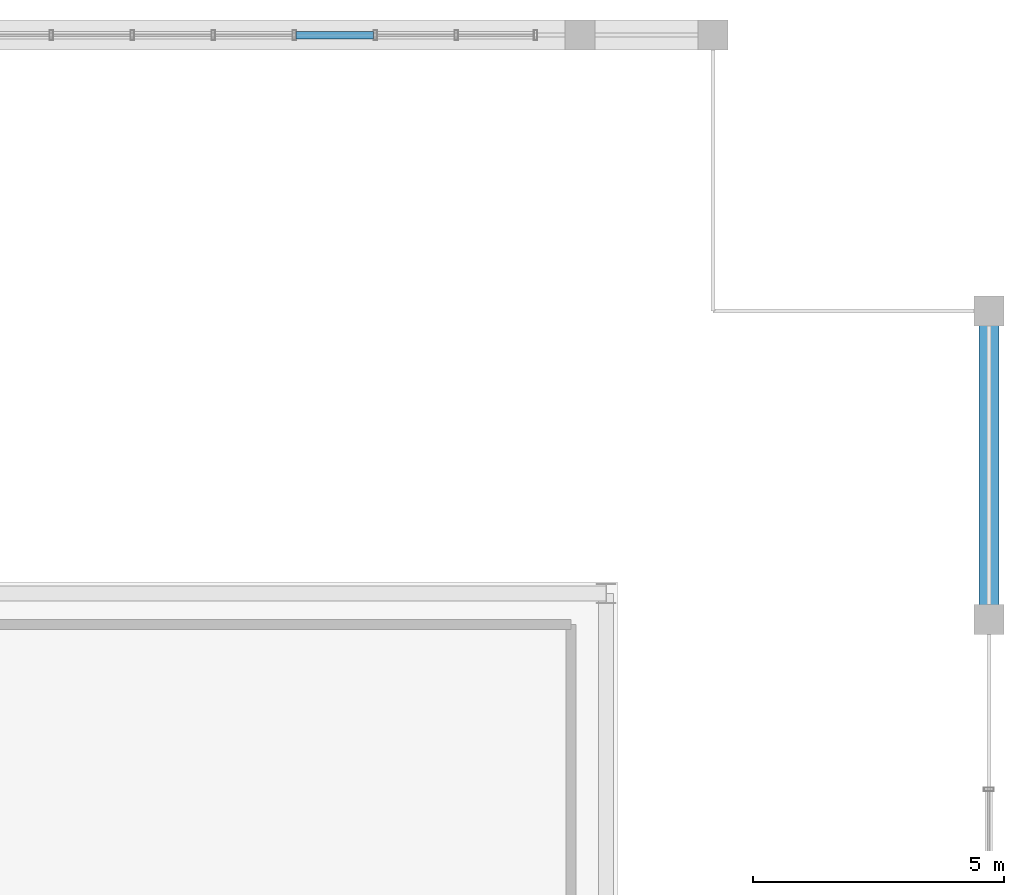
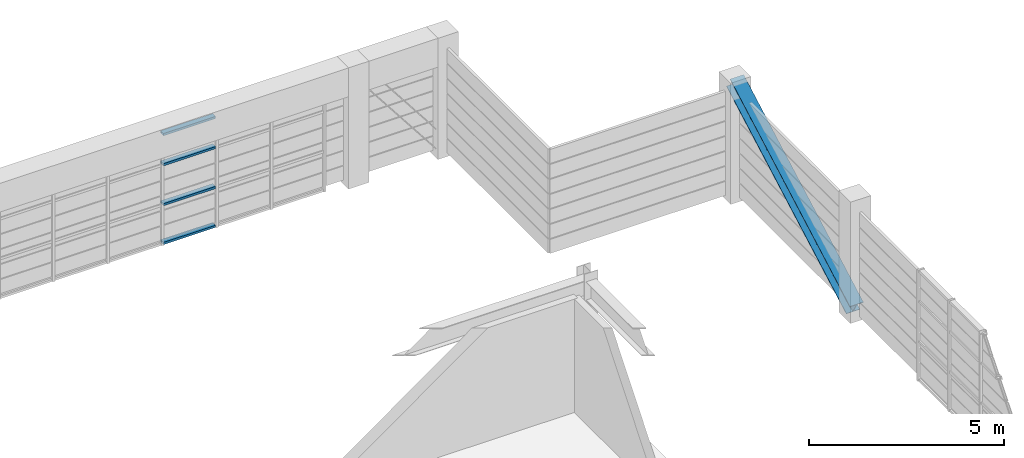
# One storey, part 14 of 21: 5 members, 1 element without a shape of its own.
"""IFC4 building model written with IfcOpenShell, lengths in metres."""

import ifcopenshell
import ifcopenshell.guid

model = None  # the IFC model being written
_history = None  # IfcOwnerHistory: only IFC2X3 demands one
_inside = {}  # id of a spatial element -> (the spatial element, [elements in it])
_under = {}  # id of a project, library or spatial element -> (it, [spatial elements below it])
_declared = {}  # id of a project -> (the project, [libraries it declares])
_typed = {}  # id of a type object -> (the type object, [elements of that type])
_made_of = {}  # id of a material, layer set ... -> (it, [elements and type objects made of it])


def new_model(schema):
    """Start an empty IFC model of exactly this schema.

    Asked for "IFC4X3", IfcOpenShell would pick the latest addendum, in which some entities
    have other attributes; the version numbers below select the first issue.
    IFC2X3 requires an IfcOwnerHistory on every rooted entity: one is made here for all.
    """
    global model, _history
    if schema == "IFC4X3":
        model = ifcopenshell.file(schema_version=(4, 3, 0, 0))
    else:
        model = ifcopenshell.file(schema=schema)
    _inside.clear()
    _under.clear()
    _declared.clear()
    _typed.clear()
    _made_of.clear()
    _history = None
    if model.schema == "IFC2X3":
        org = make("IfcOrganization", Name="unknown")
        user = make(
            "IfcPersonAndOrganization",
            ThePerson=make("IfcPerson", FamilyName="unknown"),
            TheOrganization=org,
        )
        app = make(
            "IfcApplication",
            ApplicationDeveloper=org,
            Version="unknown",
            ApplicationFullName="unknown",
            ApplicationIdentifier="unknown",
        )
        _history = make(
            "IfcOwnerHistory",
            OwningUser=user,
            OwningApplication=app,
            ChangeAction="ADDED",
            CreationDate=0,
        )
    return model


def make(cls, **values):
    """One entity of the class cls with the attributes given. An attribute that is None is left unset."""
    return model.create_entity(
        cls, **{name: value for name, value in values.items() if value is not None}
    )


def rooted(cls, **values):
    """An entity with a GlobalId (a new one), such as an element, a storey or a relation."""
    return make(cls, GlobalId=ifcopenshell.guid.new(), OwnerHistory=_history, **values)


def si_unit(unit_type, name, prefix=None):
    """IfcSIUnit, for example si_unit("LENGTHUNIT", "METRE", prefix="MILLI")."""
    return make("IfcSIUnit", UnitType=unit_type, Prefix=prefix, Name=name)


def assignment(units):
    """IfcUnitAssignment: the units of a project."""
    return None if units is None else make("IfcUnitAssignment", Units=units)


def point(xyz):
    """IfcCartesianPoint."""
    return None if xyz is None else make("IfcCartesianPoint", Coordinates=xyz)


def direction(xyz):
    """IfcDirection."""
    return None if xyz is None else make("IfcDirection", DirectionRatios=xyz)


def frame(location, z_axis=None, x_axis=None):
    """IfcAxis2Placement3D, a coordinate frame: its origin and axes. An axis left out is left unset."""
    return make(
        "IfcAxis2Placement3D",
        Location=point(location),
        Axis=direction(z_axis),
        RefDirection=direction(x_axis),
    )


def frame_2d(location, x_axis=None):
    """IfcAxis2Placement2D, a coordinate frame in the plane: its origin and x axis."""
    return make(
        "IfcAxis2Placement2D", Location=point(location), RefDirection=direction(x_axis)
    )


def origin():
    """The frame at (0, 0, 0) with its axes left unset."""
    return frame((0.0, 0.0, 0.0))


def origin_2d():
    """The frame at (0, 0) in the plane with its x axis left unset."""
    return frame_2d((0.0, 0.0))


def place(relative_to, where):
    """IfcLocalPlacement: puts the frame where relative to a parent placement (None: the world)."""
    return make(
        "IfcLocalPlacement", PlacementRelTo=relative_to, RelativePlacement=where
    )


def context(
    kind, dimensions, precision=None, world=None, true_north=None, identifier=None
):
    """IfcGeometricRepresentationContext, for example the 3D "Model" context."""
    return make(
        "IfcGeometricRepresentationContext",
        ContextIdentifier=identifier,
        ContextType=kind,
        CoordinateSpaceDimension=dimensions,
        Precision=precision,
        WorldCoordinateSystem=world,
        TrueNorth=true_north,
    )


def subcontext(parent, identifier, kind, view, scale=None):
    """IfcGeometricRepresentationSubContext, for example "Body" below "Model"."""
    return make(
        "IfcGeometricRepresentationSubContext",
        ContextIdentifier=identifier,
        ContextType=kind,
        ParentContext=parent,
        TargetScale=scale,
        TargetView=view,
    )


def project(units=None, contexts=None):
    """IfcProject with its units and contexts."""
    return rooted(
        "IfcProject",
        Name="project",
        RepresentationContexts=contexts,
        UnitsInContext=assignment(units),
    )


def spatial(cls, under=None, at=None, **own):
    """A site, building, storey or space (cls), placed at a placement, below another one or the project."""
    s = rooted(cls, ObjectPlacement=at, **own)
    if under is not None:
        _under.setdefault(under.id(), (under, []))[1].append(s)
    return s


def profile(cls, at=None, kind="AREA", **sizes):
    """A parametric profile (cls). Its sizes go by their IFC names, for example OverallWidth=200.0."""
    return make(cls, ProfileType=kind, Position=at, **sizes)


def hollow_rectangle(**sizes):
    """IfcRectangleHollowProfileDef."""
    return profile("IfcRectangleHollowProfileDef", **sizes)


def i_section(**sizes):
    """IfcIShapeProfileDef."""
    return profile("IfcIShapeProfileDef", **sizes)


def extrude(swept, where, along, depth):
    """IfcExtrudedAreaSolid: the profile swept, set in the frame where, extruded along a direction by depth."""
    return make(
        "IfcExtrudedAreaSolid",
        SweptArea=swept,
        Position=where,
        ExtrudedDirection=direction(along),
        Depth=depth,
    )


def shape(context_of_items, identifier, shape_type, items):
    """IfcShapeRepresentation: the items that make up one representation, for example the "Body"."""
    return make(
        "IfcShapeRepresentation",
        ContextOfItems=context_of_items,
        RepresentationIdentifier=identifier,
        RepresentationType=shape_type,
        Items=items,
    )


def source(mapping_origin, context_of_items, identifier, shape_type, items):
    """IfcRepresentationMap: a shape defined once, which mapped items show again and again."""
    return make(
        "IfcRepresentationMap",
        MappingOrigin=mapping_origin,
        MappedRepresentation=shape(context_of_items, identifier, shape_type, items),
    )


def transform(
    local_origin,
    x_axis=None,
    y_axis=None,
    z_axis=None,
    scale=None,
    scale2=None,
    scale3=None,
    uniform=True,
):
    """IfcCartesianTransformationOperator3D, or its non-uniform kind. x_axis, y_axis, z_axis: its Axis1, 2, 3."""
    if uniform:
        return make(
            "IfcCartesianTransformationOperator3D",
            Axis1=direction(x_axis),
            Axis2=direction(y_axis),
            LocalOrigin=point(local_origin),
            Scale=scale,
            Axis3=direction(z_axis),
        )
    return make(
        "IfcCartesianTransformationOperator3DnonUniform",
        Axis1=direction(x_axis),
        Axis2=direction(y_axis),
        LocalOrigin=point(local_origin),
        Scale=scale,
        Axis3=direction(z_axis),
        Scale2=scale2,
        Scale3=scale3,
    )


def mapped(mapping_source, mapping_target):
    """IfcMappedItem: shows the shape of a source again, moved by a transform."""
    return make(
        "IfcMappedItem", MappingSource=mapping_source, MappingTarget=mapping_target
    )


def material(Name=None, Category=None):
    """IfcMaterial."""
    return make("IfcMaterial", Name=Name, Category=Category)


def layer(
    of_material, thickness, ventilated=None, Name=None, Category=None, Priority=None
):
    """IfcMaterialLayer: one layer of a wall or slab, of a material (None: an air gap)."""
    return make(
        "IfcMaterialLayer",
        Material=of_material,
        LayerThickness=thickness,
        IsVentilated=ventilated,
        Name=Name,
        Category=Category,
        Priority=Priority,
    )


def layer_set(layers, Name=None):
    """IfcMaterialLayerSet."""
    return make("IfcMaterialLayerSet", MaterialLayers=layers, LayerSetName=Name)


def material_profile(
    of_material, cross_section, Name=None, Category=None, Priority=None
):
    """IfcMaterialProfile: a cross section and its material."""
    return make(
        "IfcMaterialProfile",
        Name=Name,
        Material=of_material,
        Profile=cross_section,
        Priority=Priority,
        Category=Category,
    )


def profile_set(profiles, Name=None, composite=None):
    """IfcMaterialProfileSet."""
    return make(
        "IfcMaterialProfileSet",
        Name=Name,
        MaterialProfiles=profiles,
        CompositeProfile=composite,
    )


def made_of(thing, what):
    """Note that an element or type object is made of a material, layer set ...; save() writes the relation."""
    if what is not None:
        _made_of.setdefault(what.id(), (what, []))[1].append(thing)
    return thing


def type_object(cls, material=None, **own):
    """A type object (cls), such as IfcWallType, which elements share."""
    return made_of(rooted(cls, **own), material)


def element(
    cls,
    number,
    at=None,
    inside=None,
    cuts=None,
    type_object=None,
    material=None,
    context=None,
    identifier="Body",
    shape_type=None,
    held_by="IfcProductDefinitionShape",
    body=None,
    shapes=None,
    **own,
):
    """One element of the class cls, such as IfcWall. Its Tag is "e" and its number.

    at: its placement. inside: the storey or other place that contains it. cuts: it is an
    opening in that element (IfcRelVoidsElement). A single representation is given by context,
    identifier, shape_type and body (its items); several are given by shapes. held_by: the class
    of the entity that holds the representations. save() writes the other relations.
    """
    e = rooted(cls, Tag="e%d" % number, ObjectPlacement=at, **own)
    if body is not None:
        shapes = [shape(context, identifier, shape_type, body)]
    if shapes is not None:
        e.Representation = make(held_by, Representations=shapes)
    if inside is not None:
        _inside.setdefault(inside.id(), (inside, []))[1].append(e)
    if cuts is not None:
        rooted(
            "IfcRelVoidsElement", RelatingBuildingElement=cuts, RelatedOpeningElement=e
        )
    if type_object is not None:
        _typed.setdefault(type_object.id(), (type_object, []))[1].append(e)
    return made_of(e, material)


def aggregate(whole, parts):
    """IfcRelAggregates: a whole, such as a stair, and the parts it consists of."""
    return rooted("IfcRelAggregates", RelatingObject=whole, RelatedObjects=parts)


def save(model, path):
    """Write the relations noted so far, then the file.

    IfcRelAggregates (storeys below a building ...), IfcRelContainedInSpatialStructure (elements
    in a storey), IfcRelDefinesByType, IfcRelAssociatesMaterial and IfcRelDeclares: one each for
    every whole, place, type object, material and project.
    """
    for whole, parts in _under.values():
        aggregate(whole, parts)
    for where, things in _inside.values():
        rooted(
            "IfcRelContainedInSpatialStructure",
            RelatedElements=things,
            RelatingStructure=where,
        )
    for kind, things in _typed.values():
        rooted("IfcRelDefinesByType", RelatedObjects=things, RelatingType=kind)
    for what, things in _made_of.values():
        rooted("IfcRelAssociatesMaterial", RelatedObjects=things, RelatingMaterial=what)
    for by, libraries in _declared.values():
        rooted("IfcRelDeclares", RelatingContext=by, RelatedDefinitions=libraries)
    model.write(path)


model = new_model("IFC4")

# Units and contexts
model_context = context("Model", 3, precision=1e-05, world=origin(), true_north=direction((0.0, 1.0)))
body_context = subcontext(model_context, "Body", "Model", "MODEL_VIEW")
ifc_project = project(units=[si_unit("LENGTHUNIT", "METRE"), si_unit("AREAUNIT", "SQUARE_METRE"), si_unit("VOLUMEUNIT", "CUBIC_METRE"), si_unit("PLANEANGLEUNIT", "RADIAN"), si_unit("MASSUNIT", "GRAM", prefix="KILO")], contexts=[model_context])

# Site, building, storey
site_placement = place(None, origin())
site = spatial("IfcSite", under=ifc_project, at=site_placement, CompositionType="ELEMENT")
building_placement = place(site_placement, origin())
building = spatial("IfcBuilding", under=site, at=building_placement, Name="Saelheon Loggia Tower", CompositionType="ELEMENT")
storey_placement = place(building_placement, frame((0.0, 0.0, 259.800048828125)))
storey = spatial("IfcBuildingStorey", under=building, at=storey_placement, Name="CR3", CompositionType="ELEMENT", Elevation=259.800048828125)

# Member
ifc_material_1 = material(Name="Steel SM355", Category="steel")
ifc_material_profile_1 = material_profile(ifc_material_1, i_section(OverallWidth=0.39990234375, OverallDepth=0.39990234375, WebThickness=0.012939453125, FlangeThickness=0.02099609375, at=origin_2d()), Name="H-400x400x13x21")
ifc_profile_set_1 = profile_set([ifc_material_profile_1], Name="Steel SM355")
member_type_1 = type_object("IfcMemberType", Name="CrownFrame_Brace_H400", PredefinedType="BRACE", material=ifc_profile_set_1)
shared_shape_1 = source(origin(), body_context, "Body", "SweptSolid", [
    extrude(i_section(OverallWidth=0.39990234375, OverallDepth=0.39990234375, WebThickness=0.012939453125, FlangeThickness=0.02099609375, at=origin_2d()), origin(), (0.0, 0.0, 1.0), 7.027099609375),
])
member_1_placement = place(storey_placement, frame((52.64990234375, 36.0, 0.199951171875), z_axis=(0.0, 0.875164888097, 0.48382478093), x_axis=(-1.0, 0.0, 0.0)))
element("IfcMember", 1, at=member_1_placement, inside=storey, type_object=member_type_1, Name="CR3 CROWN FRAME Wind Brace 04", PredefinedType="BRACE", context=body_context, shape_type="MappedRepresentation", body=[
    mapped(shared_shape_1, transform((0.0, 0.0, 0.0), scale=1.0)),
])

# Curtain wall, members
ifc_material_2 = material(Name="Bronze-Anodised Aluminium and Fritted Ceramic Screen", Category="aluminium")
ifc_layer = layer(ifc_material_2, 0.219970703125)
ifc_layer_set = layer_set([ifc_layer], Name="Bronze-Anodised Aluminium and Fritted Ceramic Screen")
curtain_wall_type = type_object("IfcCurtainWallType", Name="CW_CrownScreen", PredefinedType="NOTDEFINED", material=ifc_layer_set)
curtain_wall_placement = place(storey_placement, origin())
curtain_wall = element("IfcCurtainWall", 2, at=curtain_wall_placement, inside=storey, type_object=curtain_wall_type, Name="CR3 Crown Central Screen Curtain Wall 6", PredefinedType="NOTDEFINED")
ifc_material_3 = material(Name="Bronze-Anodised Aluminium 6063-T6", Category="aluminium")
ifc_material_profile_2 = material_profile(ifc_material_3, hollow_rectangle(XDim=0.070068359375, YDim=0.14990234375, WallThickness=0.0048828125, at=origin_2d()), Name="RHS-150x70x5")
ifc_profile_set_2 = profile_set([ifc_material_profile_2], Name="Bronze-Anodised Aluminium 6063-T6")
member_type_2 = type_object("IfcMemberType", Name="CW_CrownScreen_Transom", PredefinedType="USERDEFINED", material=ifc_profile_set_2)
shared_shape_2 = source(origin(), body_context, "Body", "SweptSolid", [
    extrude(hollow_rectangle(XDim=0.070068359375, YDim=0.14990234375, WallThickness=0.0048828125, at=origin_2d()), origin(), (0.0, 0.0, 1.0), 1.54443359375),
])
member_2_placement = place(storey_placement, frame((38.842041015625, 47.64990234375, 0.034912109375), z_axis=(1.0, 0.0, 0.0), x_axis=(0.0, 0.0, 1.0)))
member_2 = element("IfcMember", 3, at=member_2_placement, type_object=member_type_2, Name="CW6 transom 5.1", ObjectType="TRANSOM", PredefinedType="USERDEFINED", context=body_context, shape_type="MappedRepresentation", body=[
    mapped(shared_shape_2, transform((0.0, 0.0, 0.0), scale=1.0)),
])
member_3_placement = place(storey_placement, frame((38.842041015625, 47.64990234375, 1.25), z_axis=(1.0, 0.0, 0.0), x_axis=(0.0, 0.0, 1.0)))
member_3 = element("IfcMember", 4, at=member_3_placement, type_object=member_type_2, Name="CW6 transom 5.2", ObjectType="TRANSOM", PredefinedType="USERDEFINED", context=body_context, shape_type="MappedRepresentation", body=[
    mapped(shared_shape_2, transform((0.0, 0.0, 0.0), scale=1.0)),
])
member_4_placement = place(storey_placement, frame((38.842041015625, 47.64990234375, 2.5), z_axis=(1.0, 0.0, 0.0), x_axis=(0.0, 0.0, 1.0)))
member_4 = element("IfcMember", 5, at=member_4_placement, type_object=member_type_2, Name="CW6 transom 5.3", ObjectType="TRANSOM", PredefinedType="USERDEFINED", context=body_context, shape_type="MappedRepresentation", body=[
    mapped(shared_shape_2, transform((0.0, 0.0, 0.0), scale=1.0)),
])
member_5_placement = place(storey_placement, frame((38.842041015625, 47.64990234375, 3.445068359375), z_axis=(1.0, 0.0, 0.0), x_axis=(0.0, 0.0, 1.0)))
member_5 = element("IfcMember", 6, at=member_5_placement, type_object=member_type_2, Name="CW6 transom 5.4", ObjectType="TRANSOM", PredefinedType="USERDEFINED", context=body_context, shape_type="MappedRepresentation", body=[
    mapped(shared_shape_2, transform((0.0, 0.0, 0.0), scale=1.0)),
])
aggregate(curtain_wall, [member_2, member_3, member_4, member_5])

save(model, "model.ifc")
